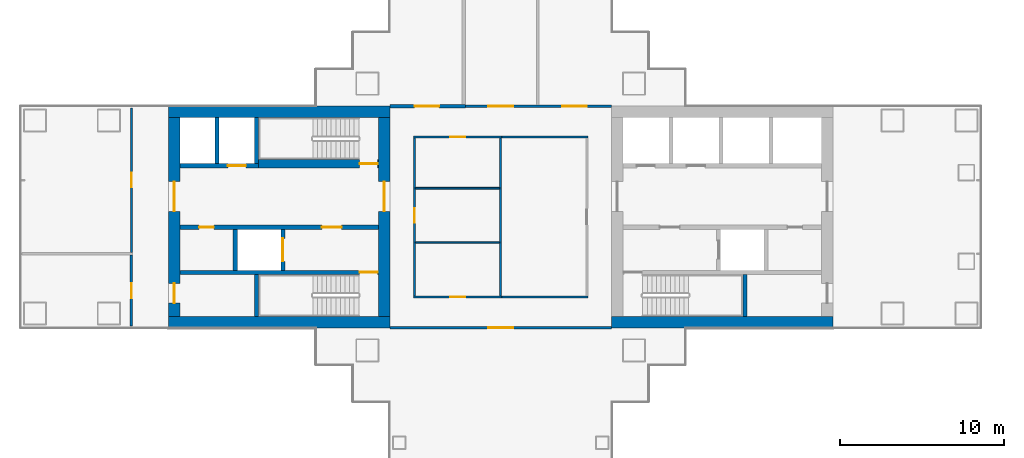
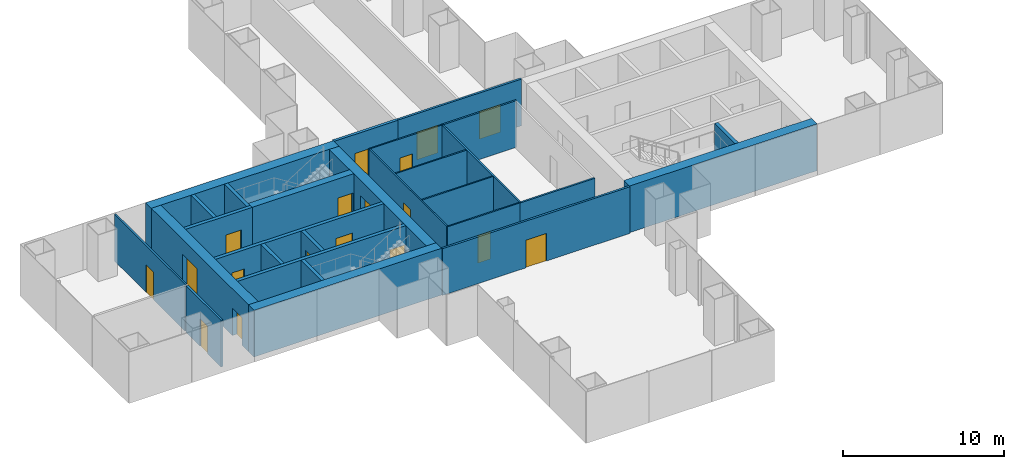
# One storey, part 13 of 21: 28 walls, 18 doors, 18 openings.
"""IFC4 building model written with IfcOpenShell, lengths in metres."""

from ifc_helpers import new_model, si_unit, direction, frame, frame_2d, origin, place, context, subcontext, project, spatial, rectangle, extrude, material, layer, layer_set, type_object, element, fill, save


model = new_model("IFC4")

# Units and contexts
model_context = context("Model", 3, precision=1e-05, world=origin(), true_north=direction((0.0, 1.0)))
body_context = subcontext(model_context, "Body", "Model", "MODEL_VIEW")
ifc_project = project(units=[si_unit("LENGTHUNIT", "METRE"), si_unit("AREAUNIT", "SQUARE_METRE"), si_unit("VOLUMEUNIT", "CUBIC_METRE"), si_unit("PLANEANGLEUNIT", "RADIAN"), si_unit("MASSUNIT", "GRAM", prefix="KILO")], contexts=[model_context])

# Site, building, storey
site_placement = place(None, origin())
site = spatial("IfcSite", under=ifc_project, at=site_placement, CompositionType="ELEMENT")
building_placement = place(site_placement, origin())
building = spatial("IfcBuilding", under=site, at=building_placement, Name="Shamsa Quay Exchange Towers", CompositionType="ELEMENT")
storey_placement = place(building_placement, frame((0.0, 0.0, 49.800048828125)))
storey = spatial("IfcBuildingStorey", under=building, at=storey_placement, Name="L10", CompositionType="ELEMENT", Elevation=49.800048828125)

# Walls
ifc_material_1 = material(Name="Concrete C80/95", Category="concrete")
ifc_layer_1 = layer(ifc_material_1, 0.699951171875)
ifc_layer_set_1 = layer_set([ifc_layer_1], Name="CORE WALL 700 C80/95")
wall_type_1 = type_object("IfcWallType", Name="CORE WALL 700 C80/95", PredefinedType="SHEAR", material=ifc_layer_set_1)
wall_1_placement = place(storey_placement, frame((-27.0, -6.39990234375, 0.0)))
element("IfcWall", 1, at=wall_1_placement, inside=storey, type_object=wall_type_1, Name="Core wall T1A-R04-PS", PredefinedType="SHEAR", context=body_context, shape_type="SweptSolid", body=[
    extrude(rectangle(XDim=13.5, YDim=0.699951171875, at=frame_2d((6.75, 0.0))), origin(), (0.0, 0.0, 1.0), 3.550048828125),
])
for number, where, z_axis, x_axis, name in (
    (2, (-40.5, -6.39990234375, 0.0), (0.0, 0.0, 1.0), (-1.0, 0.0, 0.0), "Core wall T1B-R04-PS"),
    (3, (-40.5, 6.39990234375, 0.0), (0.0, 0.0, 1.0), (-1.0, 0.0, 0.0), "Core wall T1B-R04-PN"),
):
    element("IfcWall", number, at=place(storey_placement, frame(where, z_axis=z_axis, x_axis=x_axis)), inside=storey, type_object=wall_type_1, Name=name, PredefinedType="SHEAR", context=body_context, shape_type="SweptSolid", body=[
        extrude(rectangle(XDim=13.5, YDim=0.699951171875, at=frame_2d((6.75, 0.0))), origin(), (0.0, 0.0, 1.0), 3.550048828125),
    ])

# Wall, opening, door
wall_2_placement = place(storey_placement, frame((-40.85009765625, -6.050048828125, 0.0), z_axis=(0.0, 0.0, 1.0), x_axis=(0.0, 1.0, 0.0)))
wall_2 = element("IfcWall", 4, at=wall_2_placement, inside=storey, type_object=wall_type_1, Name="Core wall T1B-R04-PF", PredefinedType="SHEAR", context=body_context, shape_type="SweptSolid", body=[
    extrude(rectangle(XDim=12.10009765625, YDim=0.699951171875, at=frame_2d((6.050048828125, 0.0))), origin(), (0.0, 0.0, 1.0), 3.550048828125),
])
opening_1_placement = place(wall_2_placement, frame((6.39990234375, 0.0, 0.0)))
opening_1 = element("IfcOpeningElement", 5, at=opening_1_placement, cuts=wall_2, Name="Opening T1B-R04-LBD01", PredefinedType="OPENING", context=body_context, shape_type="SweptSolid", body=[
    extrude(rectangle(XDim=1.800048828125, YDim=2.39990234375, at=frame_2d((0.89990234375, 1.199951171875))), frame((0.0, 0.35986328125, 0.0), z_axis=(0.0, -1.0, 0.0), x_axis=(1.0, 0.0, 0.0)), (0.0, 0.0, 1.0), 0.719970703125),
])
ifc_material_2 = material(Name="Steel, fire rated", Category="steel")
door_type_1 = type_object("IfcDoorType", Name="LIFT LOBBY DOOR PAIR 1800", OperationType="DOUBLE_DOOR_SINGLE_SWING", PredefinedType="DOOR", material=ifc_material_2)
door_1_placement = place(opening_1_placement, origin())
door_1 = element("IfcDoor", 6, at=door_1_placement, inside=storey, type_object=door_type_1, Name="T1B-R04-LBD01", OperationType="DOUBLE_DOOR_SINGLE_SWING", OverallHeight=2.39990234375, OverallWidth=1.800048828125, PredefinedType="DOOR", context=body_context, shape_type="SweptSolid", body=[
    extrude(rectangle(XDim=1.800048828125, YDim=2.39990234375, at=frame_2d((0.89990234375, 1.199951171875))), frame((0.0, 0.02490234375, 0.0), z_axis=(0.0, -1.0, 0.0), x_axis=(1.0, 0.0, 0.0)), (0.0, 0.0, 1.0), 0.050048828125),
])
fill(opening_1, door_1)

# Wall, openings, doors
wall_3_placement = place(storey_placement, frame((-53.64990234375, -6.050048828125, 0.0), z_axis=(0.0, 0.0, 1.0), x_axis=(0.0, 1.0, 0.0)))
wall_3 = element("IfcWall", 7, at=wall_3_placement, inside=storey, type_object=wall_type_1, Name="Core wall T1B-R04-PB", PredefinedType="SHEAR", context=body_context, shape_type="SweptSolid", body=[
    extrude(rectangle(XDim=12.10009765625, YDim=0.699951171875, at=frame_2d((6.050048828125, 0.0))), origin(), (0.0, 0.0, 1.0), 3.550048828125),
])
opening_2_placement = place(wall_3_placement, frame((0.800048828125, 0.0, 0.0)))
opening_2 = element("IfcOpeningElement", 8, at=opening_2_placement, cuts=wall_3, Name="Opening T1B-R04-RD02", PredefinedType="OPENING", context=body_context, shape_type="SweptSolid", body=[
    extrude(rectangle(XDim=1.199951171875, YDim=2.10009765625, at=frame_2d((0.60009765625, 1.050048828125))), frame((0.0, 0.35986328125, 0.0), z_axis=(0.0, -1.0, 0.0), x_axis=(1.0, 0.0, 0.0)), (0.0, 0.0, 1.0), 0.719970703125),
])
opening_3_placement = place(wall_3_placement, frame((6.39990234375, 0.0, 0.0)))
opening_3 = element("IfcOpeningElement", 9, at=opening_3_placement, cuts=wall_3, Name="Opening T1B-R04-LBD03", PredefinedType="OPENING", context=body_context, shape_type="SweptSolid", body=[
    extrude(rectangle(XDim=1.800048828125, YDim=2.39990234375, at=frame_2d((0.89990234375, 1.199951171875))), frame((0.0, 0.35986328125, 0.0), z_axis=(0.0, -1.0, 0.0), x_axis=(1.0, 0.0, 0.0)), (0.0, 0.0, 1.0), 0.719970703125),
])
door_2_placement = place(opening_3_placement, origin())
door_2 = element("IfcDoor", 10, at=door_2_placement, inside=storey, type_object=door_type_1, Name="T1B-R04-LBD03", OperationType="DOUBLE_DOOR_SINGLE_SWING", OverallHeight=2.39990234375, OverallWidth=1.800048828125, PredefinedType="DOOR", context=body_context, shape_type="SweptSolid", body=[
    extrude(rectangle(XDim=1.800048828125, YDim=2.39990234375, at=frame_2d((0.89990234375, 1.199951171875))), frame((0.0, 0.02490234375, 0.0), z_axis=(0.0, -1.0, 0.0), x_axis=(1.0, 0.0, 0.0)), (0.0, 0.0, 1.0), 0.050048828125),
])
fill(opening_3, door_2)
door_type_2 = type_object("IfcDoorType", Name="RISER ACCESS DOOR 1200", OperationType="SINGLE_SWING_LEFT", PredefinedType="DOOR", material=ifc_material_2)
door_3_placement = place(opening_2_placement, origin())
door_3 = element("IfcDoor", 11, at=door_3_placement, inside=storey, type_object=door_type_2, Name="T1B-R04-RD02", OperationType="SINGLE_SWING_LEFT", OverallHeight=2.10009765625, OverallWidth=1.199951171875, PredefinedType="DOOR", context=body_context, shape_type="SweptSolid", body=[
    extrude(rectangle(XDim=1.199951171875, YDim=2.10009765625, at=frame_2d((0.60009765625, 1.050048828125))), frame((0.0, 0.02490234375, 0.0), z_axis=(0.0, -1.0, 0.0), x_axis=(1.0, 0.0, 0.0)), (0.0, 0.0, 1.0), 0.050048828125),
])
fill(opening_2, door_3)

# Walls
ifc_material_3 = material(Name="Laminated fire-resisting glass in a metal frame", Category="glass")
ifc_layer_2 = layer(ifc_material_3, 0.125)
ifc_layer_set_2 = layer_set([ifc_layer_2], Name="Glazed partition 125 mm EI 60")
wall_type_2 = type_object("IfcWallType", Name="Glazed partition 125 mm EI 60", PredefinedType="PARTITIONING", material=ifc_layer_set_2)
wall_4_placement = place(storey_placement, frame((-33.8125, -4.875, 0.0)))
element("IfcWall", 12, at=wall_4_placement, inside=storey, type_object=wall_type_2, Name="Partition T1-R04-W04", PredefinedType="PARTITIONING", context=body_context, shape_type="SweptSolid", body=[
    extrude(rectangle(XDim=5.375, YDim=0.125, at=frame_2d((2.6875, 0.0))), origin(), (0.0, 0.0, 1.0), 3.550048828125),
])
wall_5_placement = place(storey_placement, frame((-28.4375, 4.875, 0.0), z_axis=(0.0, 0.0, 1.0), x_axis=(-1.0, 0.0, 0.0)))
element("IfcWall", 13, at=wall_5_placement, inside=storey, type_object=wall_type_2, Name="Partition T1-R04-W06", PredefinedType="PARTITIONING", context=body_context, shape_type="SweptSolid", body=[
    extrude(rectangle(XDim=5.375, YDim=0.125, at=frame_2d((2.6875, 0.0))), origin(), (0.0, 0.0, 1.0), 3.550048828125),
])

# Wall, opening, door
wall_6_placement = place(storey_placement, frame((-56.25, -2.175048828125, 0.0), z_axis=(0.0, 0.0, 1.0), x_axis=(0.0, 1.0, 0.0)))
wall_6 = element("IfcWall", 14, at=wall_6_placement, inside=storey, type_object=wall_type_2, Name="Partition T1-R04-W11", PredefinedType="PARTITIONING", context=body_context, shape_type="SweptSolid", body=[
    extrude(rectangle(XDim=8.830078125, YDim=0.125, at=frame_2d((4.4150390625, 0.0))), origin(), (0.0, 0.0, 1.0), 3.550048828125),
])
opening_4_placement = place(wall_6_placement, frame((3.97509765625, 0.0, 0.0)))
opening_4 = element("IfcOpeningElement", 15, at=opening_4_placement, cuts=wall_6, Name="Opening T1-R04-D02", PredefinedType="OPENING", context=body_context, shape_type="SweptSolid", body=[
    extrude(rectangle(XDim=0.89990234375, YDim=2.10009765625, at=frame_2d((0.449951171875, 1.050048828125))), frame((0.0, 0.072509765625, 0.0), z_axis=(0.0, -1.0, 0.0), x_axis=(1.0, 0.0, 0.0)), (0.0, 0.0, 1.0), 0.14501953125),
])
ifc_material_4 = material(Name="Timber door leaf in a metal frame", Category="wood")
door_type_3 = type_object("IfcDoorType", Name="Door 900x2100 FD30S", OperationType="NOTDEFINED", PredefinedType="DOOR", material=ifc_material_4)
door_4_placement = place(opening_4_placement, origin())
door_4 = element("IfcDoor", 16, at=door_4_placement, inside=storey, type_object=door_type_3, Name="Door T1-R04-D02", OperationType="SINGLE_SWING_RIGHT", OverallHeight=2.10009765625, OverallWidth=0.89990234375, PredefinedType="DOOR", context=body_context, shape_type="SweptSolid", body=[
    extrude(rectangle(XDim=0.89990234375, YDim=2.10009765625, at=frame_2d((0.449951171875, 1.050048828125))), frame((0.0, 0.02490234375, 0.0), z_axis=(0.0, -1.0, 0.0), x_axis=(1.0, 0.0, 0.0)), (0.0, 0.0, 1.0), 0.050048828125),
])
fill(opening_4, door_4)

# Wall
wall_7_placement = place(storey_placement, frame((-33.75, -4.8125, 0.0), z_axis=(0.0, 0.0, 1.0), x_axis=(0.0, 1.0, 0.0)))
element("IfcWall", 17, at=wall_7_placement, inside=storey, type_object=wall_type_2, Name="Partition T1-R04-W13", PredefinedType="PARTITIONING", context=body_context, shape_type="SweptSolid", body=[
    extrude(rectangle(XDim=9.625, YDim=0.125, at=frame_2d((4.8125, 0.0))), origin(), (0.0, 0.0, 1.0), 3.550048828125),
])

# Wall, opening, door
ifc_material_5 = material(Name="Gypsum board partition on metal studs")
ifc_layer_3 = layer(ifc_material_5, 0.10009765625)
ifc_layer_set_3 = layer_set([ifc_layer_3], Name="Partition 100 mm NOT RATED")
wall_type_3 = type_object("IfcWallType", Name="Partition 100 mm NOT RATED", PredefinedType="PARTITIONING", material=ifc_layer_set_3)
wall_8_placement = place(storey_placement, frame((-39.050048828125, -4.875, 0.0)))
wall_8 = element("IfcWall", 18, at=wall_8_placement, inside=storey, type_object=wall_type_3, Name="Partition T1-R04-W01", PredefinedType="PARTITIONING", context=body_context, shape_type="SweptSolid", body=[
    extrude(rectangle(XDim=5.362548828125, YDim=0.10009765625, at=frame_2d((2.68115234375, 0.0))), origin(), (0.0, 0.0, 1.0), 3.550048828125),
])
opening_5_placement = place(wall_8_placement, frame((2.22509765625, 0.0, 0.0)))
opening_5 = element("IfcOpeningElement", 19, at=opening_5_placement, cuts=wall_8, Name="Opening T1-R04-D04", PredefinedType="OPENING", context=body_context, shape_type="SweptSolid", body=[
    extrude(rectangle(XDim=0.89990234375, YDim=2.10009765625, at=frame_2d((0.449951171875, 1.050048828125))), frame((0.0, 0.06005859375, 0.0), z_axis=(0.0, -1.0, 0.0), x_axis=(1.0, 0.0, 0.0)), (0.0, 0.0, 1.0), 0.1201171875),
])
door_type_4 = type_object("IfcDoorType", Name="Door 900x2100 NOT RATED", OperationType="NOTDEFINED", PredefinedType="DOOR", material=ifc_material_4)
door_5_placement = place(opening_5_placement, origin())
door_5 = element("IfcDoor", 20, at=door_5_placement, inside=storey, type_object=door_type_4, Name="Door T1-R04-D04", OperationType="SINGLE_SWING_LEFT", OverallHeight=2.10009765625, OverallWidth=0.89990234375, PredefinedType="DOOR", context=body_context, shape_type="SweptSolid", body=[
    extrude(rectangle(XDim=0.89990234375, YDim=2.10009765625, at=frame_2d((0.449951171875, 1.050048828125))), frame((0.0, 0.02490234375, 0.0), z_axis=(0.0, -1.0, 0.0), x_axis=(1.0, 0.0, 0.0)), (0.0, 0.0, 1.0), 0.050048828125),
])
fill(opening_5, door_5)

wall_9_placement = place(storey_placement, frame((-39.0, 4.824951171875, 0.0), z_axis=(0.0, 0.0, 1.0), x_axis=(0.0, -1.0, 0.0)))
wall_9 = element("IfcWall", 21, at=wall_9_placement, inside=storey, type_object=wall_type_3, Name="Partition T1-R04-W02", PredefinedType="PARTITIONING", context=body_context, shape_type="SweptSolid", body=[
    extrude(rectangle(XDim=9.64990234375, YDim=0.10009765625, at=frame_2d((4.824951171875, 0.0))), origin(), (0.0, 0.0, 1.0), 3.550048828125),
])
opening_6_placement = place(wall_9_placement, frame((4.28125, 0.0, 0.0)))
opening_6 = element("IfcOpeningElement", 22, at=opening_6_placement, cuts=wall_9, Name="Opening T1-R04-D05", PredefinedType="OPENING", context=body_context, shape_type="SweptSolid", body=[
    extrude(rectangle(XDim=0.89990234375, YDim=2.10009765625, at=frame_2d((0.449951171875, 1.050048828125))), frame((0.0, 0.06005859375, 0.0), z_axis=(0.0, -1.0, 0.0), x_axis=(1.0, 0.0, 0.0)), (0.0, 0.0, 1.0), 0.1201171875),
])
door_6_placement = place(opening_6_placement, origin())
door_6 = element("IfcDoor", 23, at=door_6_placement, inside=storey, type_object=door_type_4, Name="Door T1-R04-D05", OperationType="SINGLE_SWING_LEFT", OverallHeight=2.10009765625, OverallWidth=0.89990234375, PredefinedType="DOOR", context=body_context, shape_type="SweptSolid", body=[
    extrude(rectangle(XDim=0.89990234375, YDim=2.10009765625, at=frame_2d((0.449951171875, 1.050048828125))), frame((0.0, 0.02490234375, 0.0), z_axis=(0.0, -1.0, 0.0), x_axis=(1.0, 0.0, 0.0)), (0.0, 0.0, 1.0), 0.050048828125),
])
fill(opening_6, door_6)

wall_10_placement = place(storey_placement, frame((-33.6875, 4.875, 0.0), z_axis=(0.0, 0.0, 1.0), x_axis=(-1.0, 0.0, 0.0)))
wall_10 = element("IfcWall", 24, at=wall_10_placement, inside=storey, type_object=wall_type_3, Name="Partition T1-R04-W03", PredefinedType="PARTITIONING", context=body_context, shape_type="SweptSolid", body=[
    extrude(rectangle(XDim=5.362548828125, YDim=0.10009765625, at=frame_2d((2.68115234375, 0.0))), origin(), (0.0, 0.0, 1.0), 3.550048828125),
])
opening_7_placement = place(wall_10_placement, frame((2.237548828125, 0.0, 0.0)))
opening_7 = element("IfcOpeningElement", 25, at=opening_7_placement, cuts=wall_10, Name="Opening T1-R04-D08", PredefinedType="OPENING", context=body_context, shape_type="SweptSolid", body=[
    extrude(rectangle(XDim=0.89990234375, YDim=2.10009765625, at=frame_2d((0.449951171875, 1.050048828125))), frame((0.0, 0.06005859375, 0.0), z_axis=(0.0, -1.0, 0.0), x_axis=(1.0, 0.0, 0.0)), (0.0, 0.0, 1.0), 0.1201171875),
])
door_7_placement = place(opening_7_placement, origin())
door_7 = element("IfcDoor", 26, at=door_7_placement, inside=storey, type_object=door_type_4, Name="Door T1-R04-D08", OperationType="SINGLE_SWING_LEFT", OverallHeight=2.10009765625, OverallWidth=0.89990234375, PredefinedType="DOOR", context=body_context, shape_type="SweptSolid", body=[
    extrude(rectangle(XDim=0.89990234375, YDim=2.10009765625, at=frame_2d((0.449951171875, 1.050048828125))), frame((0.0, 0.02490234375, 0.0), z_axis=(0.0, -1.0, 0.0), x_axis=(1.0, 0.0, 0.0)), (0.0, 0.0, 1.0), 0.050048828125),
])
fill(opening_7, door_7)

# Walls
for number, where, z_axis, x_axis, name in (
    (27, (-33.8125, -1.5625, 0.0), (0.0, 0.0, 1.0), (-1.0, 0.0, 0.0), "Partition T1-R04-W12"),
    (28, (-33.8125, 1.75, 0.0), (0.0, 0.0, 1.0), (-1.0, 0.0, 0.0), "Partition T1-R04-W14"),
):
    element("IfcWall", number, at=place(storey_placement, frame(where, z_axis=z_axis, x_axis=x_axis)), inside=storey, type_object=wall_type_3, Name=name, PredefinedType="PARTITIONING", context=body_context, shape_type="SweptSolid", body=[
        extrude(rectangle(XDim=5.137451171875, YDim=0.10009765625, at=frame_2d((2.56884765625, 0.0))), origin(), (0.0, 0.0, 1.0), 3.550048828125),
    ])

# Wall, openings, doors
ifc_layer_4 = layer(ifc_material_5, 0.14990234375)
ifc_layer_set_4 = layer_set([ifc_layer_4], Name="Partition 150 mm EI 60")
wall_type_4 = type_object("IfcWallType", Name="Partition 150 mm EI 60", PredefinedType="PARTITIONING", material=ifc_layer_set_4)
wall_11_placement = place(storey_placement, frame((-36.10009765625, 6.75, 0.0)))
wall_11 = element("IfcWall", 29, at=wall_11_placement, inside=storey, type_object=wall_type_4, Name="Partition T1-R04-W08", PredefinedType="PARTITIONING", context=body_context, shape_type="SweptSolid", body=[
    extrude(rectangle(XDim=9.10009765625, YDim=0.14990234375, at=frame_2d((4.550048828125, 0.0))), origin(), (0.0, 0.0, 1.0), 3.550048828125),
])
opening_8_placement = place(wall_11_placement, frame((1.60009765625, 0.0, 0.0)))
opening_8 = element("IfcOpeningElement", 30, at=opening_8_placement, cuts=wall_11, Name="Opening T1-R04-D06", PredefinedType="OPENING", context=body_context, shape_type="SweptSolid", body=[
    extrude(rectangle(XDim=1.5, YDim=2.10009765625, at=frame_2d((0.75, 1.050048828125))), frame((0.0, 0.0849609375, 0.0), z_axis=(0.0, -1.0, 0.0), x_axis=(1.0, 0.0, 0.0)), (0.0, 0.0, 1.0), 0.169921875),
])
opening_9_placement = place(wall_11_placement, frame((6.10009765625, 0.0, 0.0)))
opening_9 = element("IfcOpeningElement", 31, at=opening_9_placement, cuts=wall_11, Name="Opening T1-R04-D07", PredefinedType="OPENING", context=body_context, shape_type="SweptSolid", body=[
    extrude(rectangle(XDim=1.5, YDim=2.10009765625, at=frame_2d((0.75, 1.050048828125))), frame((0.0, 0.0849609375, 0.0), z_axis=(0.0, -1.0, 0.0), x_axis=(1.0, 0.0, 0.0)), (0.0, 0.0, 1.0), 0.169921875),
])
door_type_5 = type_object("IfcDoorType", Name="Door 1500x2100 FD30S pair", OperationType="NOTDEFINED", PredefinedType="DOOR", material=ifc_material_4)
door_8_placement = place(opening_8_placement, origin())
door_8 = element("IfcDoor", 32, at=door_8_placement, inside=storey, type_object=door_type_5, Name="Door T1-R04-D06", OperationType="DOUBLE_DOOR_SINGLE_SWING", OverallHeight=2.10009765625, OverallWidth=1.5, PredefinedType="DOOR", context=body_context, shape_type="SweptSolid", body=[
    extrude(rectangle(XDim=1.5, YDim=2.10009765625, at=frame_2d((0.75, 1.050048828125))), frame((0.0, 0.02490234375, 0.0), z_axis=(0.0, -1.0, 0.0), x_axis=(1.0, 0.0, 0.0)), (0.0, 0.0, 1.0), 0.050048828125),
])
fill(opening_8, door_8)
door_9_placement = place(opening_9_placement, origin())
door_9 = element("IfcDoor", 33, at=door_9_placement, inside=storey, type_object=door_type_5, Name="Door T1-R04-D07", OperationType="DOUBLE_DOOR_SINGLE_SWING", OverallHeight=2.10009765625, OverallWidth=1.5, PredefinedType="DOOR", context=body_context, shape_type="SweptSolid", body=[
    extrude(rectangle(XDim=1.5, YDim=2.10009765625, at=frame_2d((0.75, 1.050048828125))), frame((0.0, 0.02490234375, 0.0), z_axis=(0.0, -1.0, 0.0), x_axis=(1.0, 0.0, 0.0)), (0.0, 0.0, 1.0), 0.050048828125),
])
fill(opening_9, door_9)

# Wall, opening, door
wall_12_placement = place(storey_placement, frame((-27.0, -6.75, 0.0), z_axis=(0.0, 0.0, 1.0), x_axis=(-1.0, 0.0, 0.0)))
wall_12 = element("IfcWall", 34, at=wall_12_placement, inside=storey, type_object=wall_type_4, Name="Partition T1-R04-W09", PredefinedType="PARTITIONING", context=body_context, shape_type="SweptSolid", body=[
    extrude(rectangle(XDim=13.5, YDim=0.14990234375, at=frame_2d((6.75, 0.0))), origin(), (0.0, 0.0, 1.0), 3.550048828125),
])
opening_10_placement = place(wall_12_placement, frame((6.0, 0.0, 0.0)))
opening_10 = element("IfcOpeningElement", 35, at=opening_10_placement, cuts=wall_12, Name="Opening T1-R04-D10", PredefinedType="OPENING", context=body_context, shape_type="SweptSolid", body=[
    extrude(rectangle(XDim=1.5, YDim=2.10009765625, at=frame_2d((0.75, 1.050048828125))), frame((0.0, 0.0849609375, 0.0), z_axis=(0.0, -1.0, 0.0), x_axis=(1.0, 0.0, 0.0)), (0.0, 0.0, 1.0), 0.169921875),
])
door_10_placement = place(opening_10_placement, origin())
door_10 = element("IfcDoor", 36, at=door_10_placement, inside=storey, type_object=door_type_5, Name="Door T1-R04-D10", OperationType="DOUBLE_DOOR_SINGLE_SWING", OverallHeight=2.10009765625, OverallWidth=1.5, PredefinedType="DOOR", context=body_context, shape_type="SweptSolid", body=[
    extrude(rectangle(XDim=1.5, YDim=2.10009765625, at=frame_2d((0.75, 1.050048828125))), frame((0.0, 0.02490234375, 0.0), z_axis=(0.0, -1.0, 0.0), x_axis=(1.0, 0.0, 0.0)), (0.0, 0.0, 1.0), 0.050048828125),
])
fill(opening_10, door_10)

wall_13_placement = place(storey_placement, frame((-56.25, -6.655029296875, 0.0), z_axis=(0.0, 0.0, 1.0), x_axis=(0.0, 1.0, 0.0)))
wall_13 = element("IfcWall", 37, at=wall_13_placement, inside=storey, type_object=wall_type_4, Name="Partition T1-R04-W10", PredefinedType="PARTITIONING", context=body_context, shape_type="SweptSolid", body=[
    extrude(rectangle(XDim=4.330078125, YDim=0.14990234375, at=frame_2d((2.1650390625, 0.0))), origin(), (0.0, 0.0, 1.0), 3.550048828125),
])
opening_11_placement = place(wall_13_placement, frame((1.705078125, 0.0, 0.0)))
opening_11 = element("IfcOpeningElement", 38, at=opening_11_placement, cuts=wall_13, Name="Opening T1-R04-D01", PredefinedType="OPENING", context=body_context, shape_type="SweptSolid", body=[
    extrude(rectangle(XDim=0.89990234375, YDim=2.10009765625, at=frame_2d((0.449951171875, 1.050048828125))), frame((0.0, 0.0849609375, 0.0), z_axis=(0.0, -1.0, 0.0), x_axis=(1.0, 0.0, 0.0)), (0.0, 0.0, 1.0), 0.169921875),
])
door_11_placement = place(opening_11_placement, origin())
door_11 = element("IfcDoor", 39, at=door_11_placement, inside=storey, type_object=door_type_3, Name="Door T1-R04-D01", OperationType="SINGLE_SWING_LEFT", OverallHeight=2.10009765625, OverallWidth=0.89990234375, PredefinedType="DOOR", context=body_context, shape_type="SweptSolid", body=[
    extrude(rectangle(XDim=0.89990234375, YDim=2.10009765625, at=frame_2d((0.449951171875, 1.050048828125))), frame((0.0, 0.02490234375, 0.0), z_axis=(0.0, -1.0, 0.0), x_axis=(1.0, 0.0, 0.0)), (0.0, 0.0, 1.0), 0.050048828125),
])
fill(opening_11, door_11)

ifc_layer_5 = layer(ifc_material_5, 0.199951171875)
ifc_layer_set_5 = layer_set([ifc_layer_5], Name="Partition 200 mm EI 90")
wall_type_5 = type_object("IfcWallType", Name="Partition 200 mm EI 90", PredefinedType="PARTITIONING", material=ifc_layer_set_5)
wall_14_placement = place(storey_placement, frame((-40.5, 6.75, 0.0)))
wall_14 = element("IfcWall", 40, at=wall_14_placement, inside=storey, type_object=wall_type_5, Name="Partition T1-R04-W07", PredefinedType="PARTITIONING", context=body_context, shape_type="SweptSolid", body=[
    extrude(rectangle(XDim=4.60009765625, YDim=0.199951171875, at=frame_2d((2.300048828125, 0.0))), origin(), (0.0, 0.0, 1.0), 3.550048828125),
])
opening_12_placement = place(wall_14_placement, frame((1.5, 0.0, 0.0)))
opening_12 = element("IfcOpeningElement", 41, at=opening_12_placement, cuts=wall_14, Name="Opening T1-R04-D03", PredefinedType="OPENING", context=body_context, shape_type="SweptSolid", body=[
    extrude(rectangle(XDim=1.5, YDim=2.10009765625, at=frame_2d((0.75, 1.050048828125))), frame((0.0, 0.10986328125, 0.0), z_axis=(0.0, -1.0, 0.0), x_axis=(1.0, 0.0, 0.0)), (0.0, 0.0, 1.0), 0.219970703125),
])
door_12_placement = place(opening_12_placement, origin())
door_12 = element("IfcDoor", 42, at=door_12_placement, inside=storey, type_object=door_type_5, Name="Door T1-R04-D03", OperationType="DOUBLE_DOOR_SINGLE_SWING", OverallHeight=2.10009765625, OverallWidth=1.5, PredefinedType="DOOR", context=body_context, shape_type="SweptSolid", body=[
    extrude(rectangle(XDim=1.5, YDim=2.10009765625, at=frame_2d((0.75, 1.050048828125))), frame((0.0, 0.02490234375, 0.0), z_axis=(0.0, -1.0, 0.0), x_axis=(1.0, 0.0, 0.0)), (0.0, 0.0, 1.0), 0.050048828125),
])
fill(opening_12, door_12)

# Wall
ifc_material_6 = material(Name="Concrete C50/60", Category="concrete")
ifc_layer_6 = layer(ifc_material_6, 0.25)
ifc_layer_set_6 = layer_set([ifc_layer_6], Name="SHAFT WALL 250 C50/60")
wall_type_6 = type_object("IfcWallType", Name="SHAFT WALL 250 C50/60", PredefinedType="SHEAR", material=ifc_layer_set_6)
wall_15_placement = place(storey_placement, frame((-18.875, -6.050048828125, 0.0), z_axis=(0.0, 0.0, 1.0), x_axis=(0.0, 1.0, 0.0)))
element("IfcWall", 43, at=wall_15_placement, inside=storey, type_object=wall_type_6, Name="Shaft wall T1A-R04-STF", PredefinedType="SHEAR", context=body_context, shape_type="SweptSolid", body=[
    extrude(rectangle(XDim=2.550048828125, YDim=0.25, at=frame_2d((1.27490234375, 0.0))), origin(), (0.0, 0.0, 1.0), 3.550048828125),
])

# Wall, opening, door
wall_16_placement = place(storey_placement, frame((-41.199951171875, -3.375, 0.0), z_axis=(0.0, 0.0, 1.0), x_axis=(-1.0, 0.0, 0.0)))
wall_16 = element("IfcWall", 44, at=wall_16_placement, inside=storey, type_object=wall_type_6, Name="Shaft wall T1B-R04-STL", PredefinedType="SHEAR", context=body_context, shape_type="SweptSolid", body=[
    extrude(rectangle(XDim=12.10009765625, YDim=0.25, at=frame_2d((6.050048828125, 0.0))), origin(), (0.0, 0.0, 1.0), 3.550048828125),
])
opening_13_placement = place(wall_16_placement, frame((0.050048828125, 0.0, 0.0)))
opening_13 = element("IfcOpeningElement", 45, at=opening_13_placement, cuts=wall_16, Name="Opening T1B-R04-SD04", PredefinedType="OPENING", context=body_context, shape_type="SweptSolid", body=[
    extrude(rectangle(XDim=1.10009765625, YDim=2.10009765625, at=frame_2d((0.550048828125, 1.050048828125))), frame((0.0, 0.135009765625, 0.0), z_axis=(0.0, -1.0, 0.0), x_axis=(1.0, 0.0, 0.0)), (0.0, 0.0, 1.0), 0.27001953125),
])
door_type_6 = type_object("IfcDoorType", Name="STAIR DOOR 1100", OperationType="SINGLE_SWING_LEFT", PredefinedType="DOOR", material=ifc_material_2)
door_13_placement = place(opening_13_placement, origin())
door_13 = element("IfcDoor", 46, at=door_13_placement, inside=storey, type_object=door_type_6, Name="T1B-R04-SD04", OperationType="SINGLE_SWING_LEFT", OverallHeight=2.10009765625, OverallWidth=1.10009765625, PredefinedType="DOOR", context=body_context, shape_type="SweptSolid", body=[
    extrude(rectangle(XDim=1.10009765625, YDim=2.10009765625, at=frame_2d((0.550048828125, 1.050048828125))), frame((0.0, 0.02490234375, 0.0), z_axis=(0.0, -1.0, 0.0), x_axis=(1.0, 0.0, 0.0)), (0.0, 0.0, 1.0), 0.050048828125),
])
fill(opening_13, door_13)

# Wall
wall_17_placement = place(storey_placement, frame((-48.625, -6.050048828125, 0.0), z_axis=(0.0, 0.0, 1.0), x_axis=(0.0, 1.0, 0.0)))
element("IfcWall", 47, at=wall_17_placement, inside=storey, type_object=wall_type_6, Name="Shaft wall T1B-R04-STF", PredefinedType="SHEAR", context=body_context, shape_type="SweptSolid", body=[
    extrude(rectangle(XDim=2.550048828125, YDim=0.25, at=frame_2d((1.27490234375, 0.0))), origin(), (0.0, 0.0, 1.0), 3.550048828125),
])

# Wall, openings, doors
wall_18_placement = place(storey_placement, frame((-41.199951171875, -0.625, 0.0), z_axis=(0.0, 0.0, 1.0), x_axis=(-1.0, 0.0, 0.0)))
wall_18 = element("IfcWall", 48, at=wall_18_placement, inside=storey, type_object=wall_type_6, Name="Shaft wall T1B-R04-B", PredefinedType="SHEAR", context=body_context, shape_type="SweptSolid", body=[
    extrude(rectangle(XDim=12.10009765625, YDim=0.25, at=frame_2d((6.050048828125, 0.0))), origin(), (0.0, 0.0, 1.0), 3.550048828125),
])
opening_14_placement = place(wall_18_placement, frame((2.25, 0.0, 0.0)))
opening_14 = element("IfcOpeningElement", 49, at=opening_14_placement, cuts=wall_18, Name="Opening T1B-R04-FD05", PredefinedType="OPENING", context=body_context, shape_type="SweptSolid", body=[
    extrude(rectangle(XDim=1.199951171875, YDim=2.10009765625, at=frame_2d((0.60009765625, 1.050048828125))), frame((0.0, 0.135009765625, 0.0), z_axis=(0.0, -1.0, 0.0), x_axis=(1.0, 0.0, 0.0)), (0.0, 0.0, 1.0), 0.27001953125),
])
opening_15_placement = place(wall_18_placement, frame((10.02490234375, 0.0, 0.0)))
opening_15 = element("IfcOpeningElement", 50, at=opening_15_placement, cuts=wall_18, Name="Opening T1B-R04-SV06", PredefinedType="OPENING", context=body_context, shape_type="SweptSolid", body=[
    extrude(rectangle(XDim=0.89990234375, YDim=2.10009765625, at=frame_2d((0.449951171875, 1.050048828125))), frame((0.0, 0.135009765625, 0.0), z_axis=(0.0, -1.0, 0.0), x_axis=(1.0, 0.0, 0.0)), (0.0, 0.0, 1.0), 0.27001953125),
])
door_type_7 = type_object("IfcDoorType", Name="FIRE SERVICE LOBBY DOOR 1200", OperationType="SINGLE_SWING_LEFT", PredefinedType="DOOR", material=ifc_material_2)
door_14_placement = place(opening_14_placement, origin())
door_14 = element("IfcDoor", 51, at=door_14_placement, inside=storey, type_object=door_type_7, Name="T1B-R04-FD05", OperationType="SINGLE_SWING_LEFT", OverallHeight=2.10009765625, OverallWidth=1.199951171875, PredefinedType="DOOR", context=body_context, shape_type="SweptSolid", body=[
    extrude(rectangle(XDim=1.199951171875, YDim=2.10009765625, at=frame_2d((0.60009765625, 1.050048828125))), frame((0.0, 0.02490234375, 0.0), z_axis=(0.0, -1.0, 0.0), x_axis=(1.0, 0.0, 0.0)), (0.0, 0.0, 1.0), 0.050048828125),
])
fill(opening_14, door_14)
door_type_8 = type_object("IfcDoorType", Name="SERVICE ROOM DOOR 900", OperationType="SINGLE_SWING_LEFT", PredefinedType="DOOR", material=ifc_material_2)
door_15_placement = place(opening_15_placement, origin())
door_15 = element("IfcDoor", 52, at=door_15_placement, inside=storey, type_object=door_type_8, Name="T1B-R04-SV06", OperationType="SINGLE_SWING_RIGHT", OverallHeight=2.10009765625, OverallWidth=0.89990234375, PredefinedType="DOOR", context=body_context, shape_type="SweptSolid", body=[
    extrude(rectangle(XDim=0.89990234375, YDim=2.10009765625, at=frame_2d((0.449951171875, 1.050048828125))), frame((0.0, 0.02490234375, 0.0), z_axis=(0.0, -1.0, 0.0), x_axis=(1.0, 0.0, 0.0)), (0.0, 0.0, 1.0), 0.050048828125),
])
fill(opening_15, door_15)

# Wall, opening, door
wall_19_placement = place(storey_placement, frame((-47.02490234375, -3.25, 0.0), z_axis=(0.0, 0.0, 1.0), x_axis=(0.0, 1.0, 0.0)))
wall_19 = element("IfcWall", 53, at=wall_19_placement, inside=storey, type_object=wall_type_6, Name="Shaft wall T1B-R04-FFF", PredefinedType="SHEAR", context=body_context, shape_type="SweptSolid", body=[
    extrude(rectangle(XDim=2.5, YDim=0.25, at=frame_2d((1.25, 0.0))), origin(), (0.0, 0.0, 1.0), 3.550048828125),
])
opening_16_placement = place(wall_19_placement, frame((0.550048828125, 0.0, 0.0)))
opening_16 = element("IfcOpeningElement", 54, at=opening_16_placement, cuts=wall_19, Name="Opening T1B-R04-LDG07", PredefinedType="OPENING", context=body_context, shape_type="SweptSolid", body=[
    extrude(rectangle(XDim=1.39990234375, YDim=2.39990234375, at=frame_2d((0.699951171875, 1.199951171875))), frame((0.0, 0.135009765625, 0.0), z_axis=(0.0, -1.0, 0.0), x_axis=(1.0, 0.0, 0.0)), (0.0, 0.0, 1.0), 0.27001953125),
])
door_type_9 = type_object("IfcDoorType", Name="GOODS LIFT LANDING DOOR 1400", OperationType="SLIDING_TO_LEFT", PredefinedType="DOOR", material=ifc_material_2)
door_16_placement = place(opening_16_placement, origin())
door_16 = element("IfcDoor", 55, at=door_16_placement, inside=storey, type_object=door_type_9, Name="T1B-R04-LDG07", OperationType="SLIDING_TO_LEFT", OverallHeight=2.39990234375, OverallWidth=1.39990234375, PredefinedType="DOOR", context=body_context, shape_type="SweptSolid", body=[
    extrude(rectangle(XDim=1.39990234375, YDim=2.39990234375, at=frame_2d((0.699951171875, 1.199951171875))), frame((0.0, 0.02490234375, 0.0), z_axis=(0.0, -1.0, 0.0), x_axis=(1.0, 0.0, 0.0)), (0.0, 0.0, 1.0), 0.050048828125),
])
fill(opening_16, door_16)

# Wall
wall_20_placement = place(storey_placement, frame((-49.925048828125, -3.25, 0.0), z_axis=(0.0, 0.0, 1.0), x_axis=(0.0, 1.0, 0.0)))
element("IfcWall", 56, at=wall_20_placement, inside=storey, type_object=wall_type_6, Name="Shaft wall T1B-R04-FFB", PredefinedType="SHEAR", context=body_context, shape_type="SweptSolid", body=[
    extrude(rectangle(XDim=2.5, YDim=0.25, at=frame_2d((1.25, 0.0))), origin(), (0.0, 0.0, 1.0), 3.550048828125),
])

# Wall, opening, door
wall_21_placement = place(storey_placement, frame((-48.5, 3.125, 0.0), z_axis=(0.0, 0.0, 1.0), x_axis=(-1.0, 0.0, 0.0)))
wall_21 = element("IfcWall", 57, at=wall_21_placement, inside=storey, type_object=wall_type_6, Name="Shaft wall T1B-R04-N2", PredefinedType="SHEAR", context=body_context, shape_type="SweptSolid", body=[
    extrude(rectangle(XDim=4.800048828125, YDim=0.25, at=frame_2d((2.39990234375, 0.0))), origin(), (0.0, 0.0, 1.0), 3.550048828125),
])
opening_17_placement = place(wall_21_placement, frame((0.77490234375, 0.0, 0.0)))
opening_17 = element("IfcOpeningElement", 58, at=opening_17_placement, cuts=wall_21, Name="Opening T1B-R04-LD09", PredefinedType="OPENING", context=body_context, shape_type="SweptSolid", body=[
    extrude(rectangle(XDim=1.10009765625, YDim=2.10009765625, at=frame_2d((0.550048828125, 1.050048828125))), frame((0.0, 0.135009765625, 0.0), z_axis=(0.0, -1.0, 0.0), x_axis=(1.0, 0.0, 0.0)), (0.0, 0.0, 1.0), 0.27001953125),
])
door_type_10 = type_object("IfcDoorType", Name="LANDING DOOR 1100", OperationType="SLIDING_TO_LEFT", PredefinedType="DOOR", material=ifc_material_2)
door_17_placement = place(opening_17_placement, origin())
door_17 = element("IfcDoor", 59, at=door_17_placement, inside=storey, type_object=door_type_10, Name="T1B-R04-LD09", OperationType="SLIDING_TO_LEFT", OverallHeight=2.10009765625, OverallWidth=1.10009765625, PredefinedType="DOOR", context=body_context, shape_type="SweptSolid", body=[
    extrude(rectangle(XDim=1.10009765625, YDim=2.10009765625, at=frame_2d((0.550048828125, 1.050048828125))), frame((0.0, 0.02490234375, 0.0), z_axis=(0.0, -1.0, 0.0), x_axis=(1.0, 0.0, 0.0)), (0.0, 0.0, 1.0), 0.050048828125),
])
fill(opening_17, door_17)

# Walls
for number, where, z_axis, x_axis, name in (
    (60, (-48.625, 3.25, 0.0), (0.0, 0.0, 1.0), (0.0, 1.0, 0.0), "Shaft wall T1B-R04-STF2"),
    (61, (-51.02490234375, 3.25, 0.0), (0.0, 0.0, 1.0), (0.0, 1.0, 0.0), "Shaft wall T1B-R04-D0"),
):
    element("IfcWall", number, at=place(storey_placement, frame(where, z_axis=z_axis, x_axis=x_axis)), inside=storey, type_object=wall_type_6, Name=name, PredefinedType="SHEAR", context=body_context, shape_type="SweptSolid", body=[
        extrude(rectangle(XDim=2.800048828125, YDim=0.25, at=frame_2d((1.39990234375, 0.0))), origin(), (0.0, 0.0, 1.0), 3.550048828125),
    ])

# Wall, opening, door
ifc_layer_7 = layer(ifc_material_6, 0.5)
ifc_layer_set_7 = layer_set([ifc_layer_7], Name="SHAFT WALL 500 C50/60")
wall_type_7 = type_object("IfcWallType", Name="SHAFT WALL 500 C50/60", PredefinedType="SHEAR", material=ifc_layer_set_7)
wall_22_placement = place(storey_placement, frame((-48.5, 3.25, 0.0)))
wall_22 = element("IfcWall", 62, at=wall_22_placement, inside=storey, type_object=wall_type_7, Name="Shaft wall T1B-R04-N", PredefinedType="SHEAR", context=body_context, shape_type="SweptSolid", body=[
    extrude(rectangle(XDim=7.300048828125, YDim=0.5, at=frame_2d((3.64990234375, 0.0))), origin(), (0.0, 0.0, 1.0), 3.550048828125),
])
opening_18_placement = place(wall_22_placement, frame((6.14990234375, 0.0, 0.0)))
opening_18 = element("IfcOpeningElement", 63, at=opening_18_placement, cuts=wall_22, Name="Opening T1B-R04-SD08", PredefinedType="OPENING", context=body_context, shape_type="SweptSolid", body=[
    extrude(rectangle(XDim=1.10009765625, YDim=2.10009765625, at=frame_2d((0.550048828125, 1.050048828125))), frame((0.0, 0.260009765625, 0.0), z_axis=(0.0, -1.0, 0.0), x_axis=(1.0, 0.0, 0.0)), (0.0, 0.0, 1.0), 0.52001953125),
])
door_18_placement = place(opening_18_placement, origin())
door_18 = element("IfcDoor", 64, at=door_18_placement, inside=storey, type_object=door_type_6, Name="T1B-R04-SD08", OperationType="SINGLE_SWING_RIGHT", OverallHeight=2.10009765625, OverallWidth=1.10009765625, PredefinedType="DOOR", context=body_context, shape_type="SweptSolid", body=[
    extrude(rectangle(XDim=1.10009765625, YDim=2.10009765625, at=frame_2d((0.550048828125, 1.050048828125))), frame((0.0, 0.02490234375, 0.0), z_axis=(0.0, -1.0, 0.0), x_axis=(1.0, 0.0, 0.0)), (0.0, 0.0, 1.0), 0.050048828125),
])
fill(opening_18, door_18)

save(model, "model.ifc")
